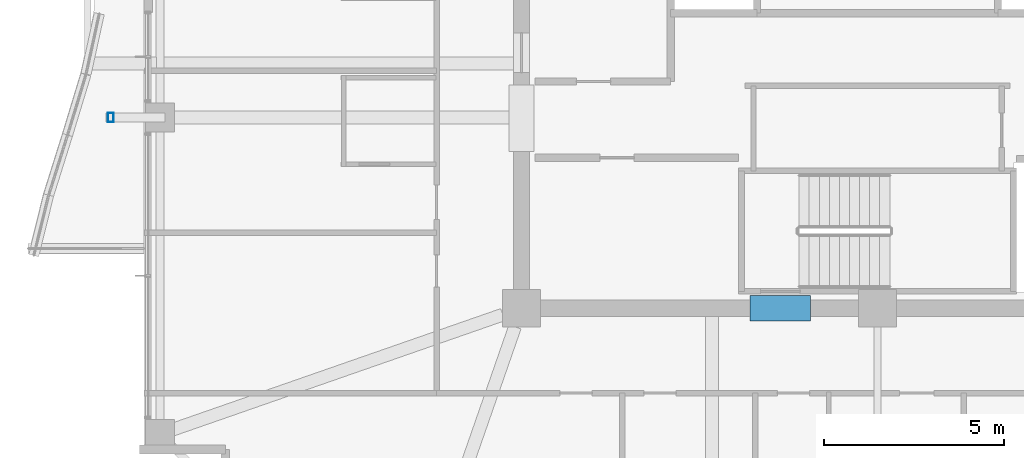
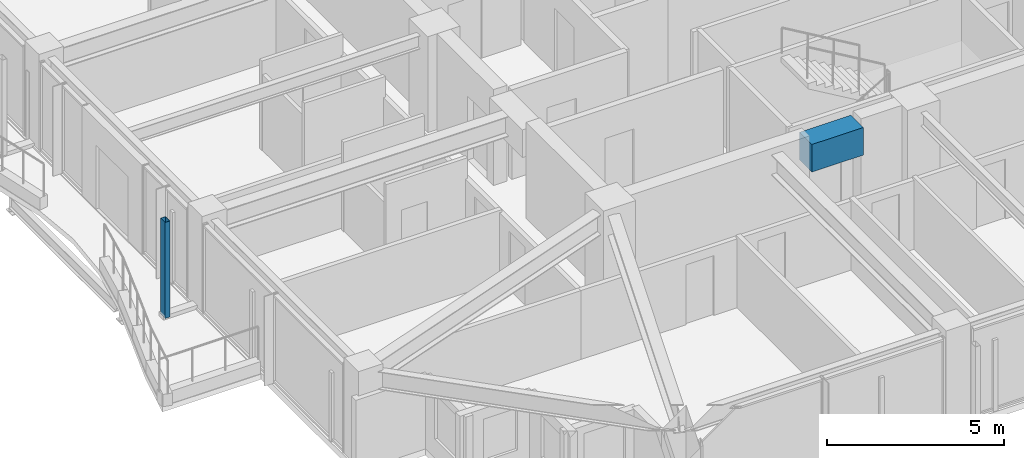
# One storey, part 5 of 35: 1 beam, 1 member.
"""IFC4 building model written with IfcOpenShell, lengths in metres."""

from ifc_helpers import new_model, si_unit, direction, frame, origin, origin_2d, place, context, subcontext, project, spatial, rectangle, hollow_rectangle, extrude, material, material_profile, profile_set, type_object, element, save


model = new_model("IFC4")

# Units and contexts
model_context = context("Model", 3, precision=1e-05, world=origin(), true_north=direction((0.0, 1.0)))
body_context = subcontext(model_context, "Body", "Model", "MODEL_VIEW")
ifc_project = project(units=[si_unit("LENGTHUNIT", "METRE"), si_unit("AREAUNIT", "SQUARE_METRE"), si_unit("VOLUMEUNIT", "CUBIC_METRE"), si_unit("PLANEANGLEUNIT", "RADIAN"), si_unit("MASSUNIT", "GRAM", prefix="KILO")], contexts=[model_context])

# Site, building, storey
site_placement = place(None, origin())
site = spatial("IfcSite", under=ifc_project, at=site_placement, CompositionType="ELEMENT")
building_placement = place(site_placement, origin())
building = spatial("IfcBuilding", under=site, at=building_placement, Name="Kolvaren Belvedere", CompositionType="ELEMENT")
storey_placement = place(building_placement, frame((0.0, 0.0, 216.300048828125)))
storey = spatial("IfcBuildingStorey", under=building, at=storey_placement, Name="L63", CompositionType="ELEMENT", Elevation=216.300048828125)

# Beam
ifc_material_1 = material(Name="Concrete C60/75", Category="concrete")
ifc_material_profile_1 = material_profile(ifc_material_1, rectangle(XDim=0.699951171875, YDim=0.949951171875, at=origin_2d()), Name="RC 700X950")
ifc_profile_set_1 = profile_set([ifc_material_profile_1], Name="Concrete C60/75")
beam_type = type_object("IfcBeamType", Name="BM-LINT-950", PredefinedType="LINTEL", material=ifc_profile_set_1)
beam_placement = place(storey_placement, frame((-3.5400390625, -9.89990234375, 2.60498046875), z_axis=(1.0, 0.0, 0.0), x_axis=(0.0, 1.0, 0.0)))
element("IfcBeam", 1, at=beam_placement, inside=storey, type_object=beam_type, Name="L63 South Core Coupling Lintel", PredefinedType="LINTEL", context=body_context, shape_type="SweptSolid", body=[
    extrude(rectangle(XDim=0.699951171875, YDim=0.949951171875, at=origin_2d()), origin(), (0.0, 0.0, 1.0), 1.679931640625),
])

# Member
ifc_material_2 = material(Name="Anodised pale-metal aluminium AA 6063-T6", Category="aluminium")
ifc_material_profile_2 = material_profile(ifc_material_2, hollow_rectangle(XDim=0.159912109375, YDim=0.260009765625, WallThickness=0.006591796875, at=origin_2d()), Name="ALU-PF-260X160")
ifc_profile_set_2 = profile_set([ifc_material_profile_2], Name="Anodised pale-metal aluminium AA 6063-T6")
member_type = type_object("IfcMemberType", Name="PF-FRAME-260", PredefinedType="USERDEFINED", material=ifc_profile_set_2)
member_placement = place(storey_placement, frame((-21.320068359375, -4.60009765625, 0.0), z_axis=(0.0, 0.0, 1.0), x_axis=(1.0, 0.0, 0.0)))
element("IfcMember", 2, at=member_placement, inside=storey, type_object=member_type, Name="L63 Outboard Picture-Frame Vertical W1", ObjectType="PICTURE FRAME FIN", PredefinedType="USERDEFINED", context=body_context, shape_type="SweptSolid", body=[
    extrude(hollow_rectangle(XDim=0.159912109375, YDim=0.260009765625, WallThickness=0.006591796875, at=origin_2d()), origin(), (0.0, 0.0, 1.0), 3.300048828125),
])

save(model, "model.ifc")
